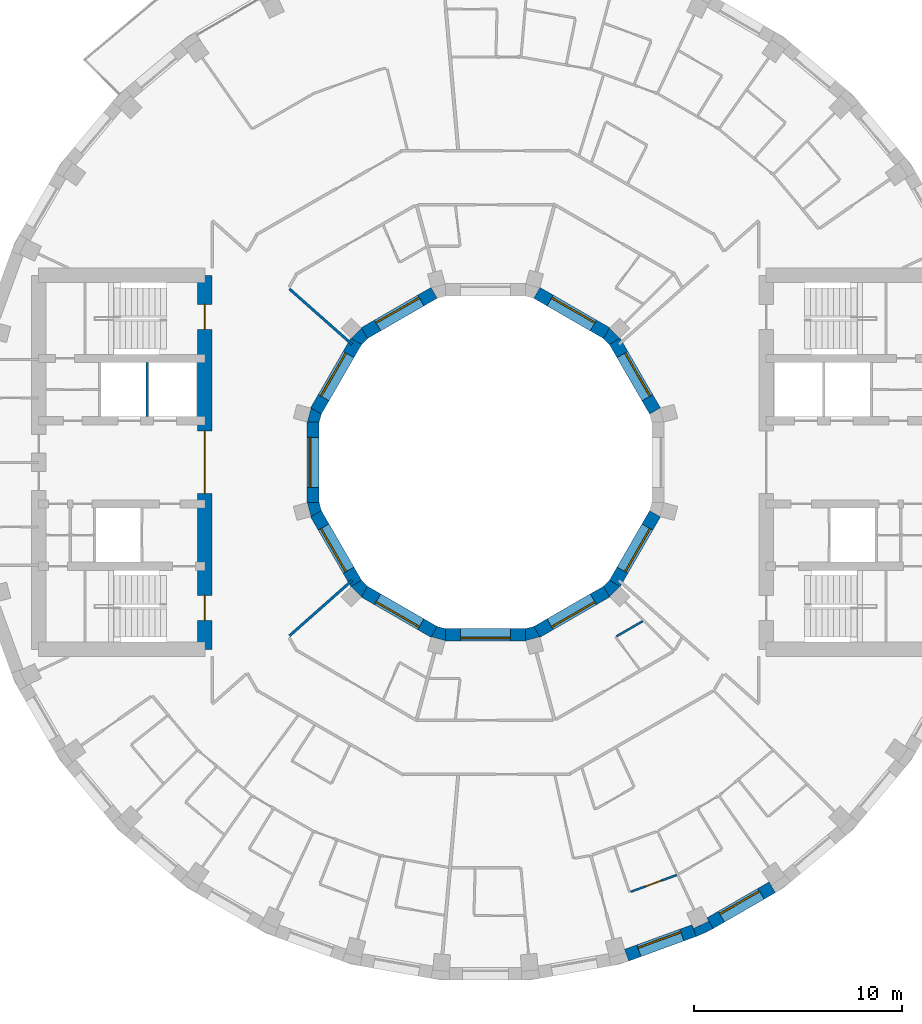
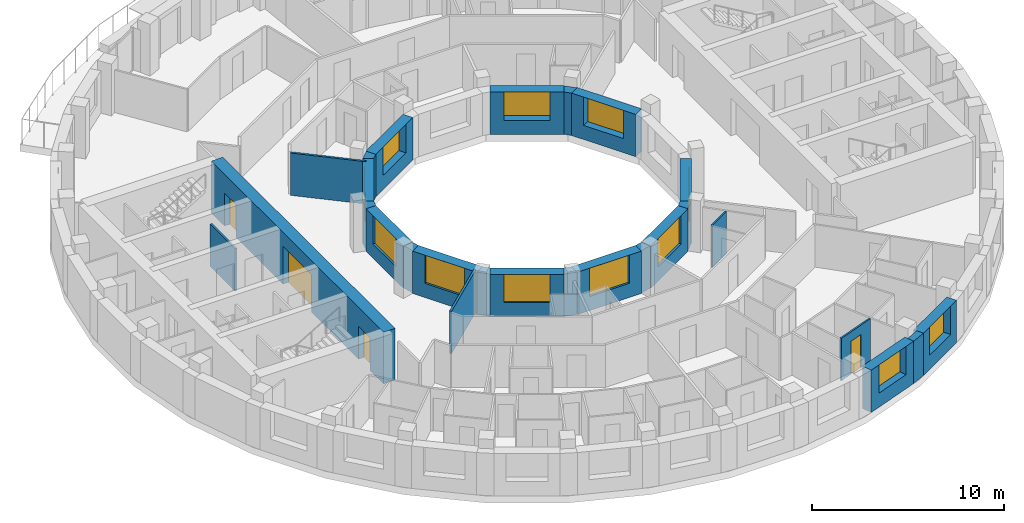
# One storey, part 7 of 14: 27 walls, 12 windows, 4 doors, 16 openings.
"""IFC4 building model written with IfcOpenShell, lengths in metres."""

from ifc_helpers import new_model, si_unit, direction, frame, frame_2d, origin, place, context, subcontext, project, spatial, polyline, rectangle, outline, extrude, material, layer, layer_set, type_object, element, fill, save


model = new_model("IFC4")

# Units and contexts
model_context = context("Model", 3, precision=1e-05, world=origin(), true_north=direction((0.0, 1.0)))
body_context = subcontext(model_context, "Body", "Model", "MODEL_VIEW")
ifc_project = project(units=[si_unit("LENGTHUNIT", "METRE"), si_unit("AREAUNIT", "SQUARE_METRE"), si_unit("VOLUMEUNIT", "CUBIC_METRE"), si_unit("PLANEANGLEUNIT", "RADIAN"), si_unit("MASSUNIT", "GRAM", prefix="KILO")], contexts=[model_context])

# Site, building, storey
site_placement = place(None, origin())
site = spatial("IfcSite", under=ifc_project, at=site_placement, CompositionType="ELEMENT")
building_placement = place(site_placement, origin())
building = spatial("IfcBuilding", under=site, at=building_placement, Name="Saqina Gate Tower", CompositionType="ELEMENT")
storey_placement = place(building_placement, frame((0.0, 0.0, 216.89990234375)))
storey = spatial("IfcBuildingStorey", under=building, at=storey_placement, Name="L62", CompositionType="ELEMENT", Elevation=216.89990234375)

# Wall
ifc_material_1 = material(Name="Brick masonry (buff)", Category="masonry")
wall_type_1 = type_object("IfcWallType", Name="BRICK PIER COPING BUFF", PredefinedType="SOLIDWALL", material=ifc_material_1)
wall_1_placement = place(storey_placement, origin())
element("IfcWall", 1, at=wall_1_placement, inside=storey, type_object=wall_type_1, Name="Pier cap L62 column 30", PredefinedType="SOLIDWALL", context=body_context, shape_type="SweptSolid", body=[
    extrude(outline(polyline([(10.958740234375, -22.4306640625), (10.65869140625, -21.9111328125), (10.73779296875, -22.080810546875), (10.0126953125, -22.4189453125), (9.93359375, -22.249267578125), (10.138916015625, -22.81298828125), (10.958740234375, -22.4306640625)])), origin(), (0.0, 0.0, 1.0), 2.7001953125),
])

# Wall, opening, window
ifc_material_2 = material(Name="Brick masonry (buff)", Category="masonry")
ifc_layer_1 = layer(ifc_material_2, 0.60009765625)
ifc_layer_set_1 = layer_set([ifc_layer_1], Name="FW-BRICK-BUFF")
wall_type_2 = type_object("IfcWallType", Name="FW-BRICK-BUFF", PredefinedType="SOLIDWALL", material=ifc_layer_set_1)
wall_2_placement = place(storey_placement, frame((6.79443359375, -23.7109375, 0.0), z_axis=(0.0, 0.0, 1.0), x_axis=(0.93968799822, 0.342032843455, 0.0)))
wall_2 = element("IfcWall", 2, at=wall_2_placement, inside=storey, type_object=wall_type_2, Name="Facade wall L62 facet 29", PredefinedType="SOLIDWALL", context=body_context, shape_type="SweptSolid", body=[
    extrude(rectangle(XDim=3.44970703125, YDim=0.60009765625, at=frame_2d((1.724853515625, 0.0))), origin(), (0.0, 0.0, 1.0), 2.7001953125),
])
opening_1_placement = place(wall_2_placement, frame((0.625, 0.0, 0.89990234375)))
opening_1 = element("IfcOpeningElement", 3, at=opening_1_placement, cuts=wall_2, Name="Opening G18-W18", PredefinedType="OPENING", context=body_context, shape_type="SweptSolid", body=[
    extrude(rectangle(XDim=2.199951171875, YDim=1.800048828125, at=frame_2d((1.10009765625, 0.89990234375))), frame((0.0, 0.31201171875, 0.0), z_axis=(0.0, -1.0, 0.0), x_axis=(1.0, 0.0, 0.0)), (0.0, 0.0, 1.0), 0.6240234375),
])
ifc_material_3 = material(Name="Aluminium glazing", Category="aluminium")
window_type_1 = type_object("IfcWindowType", Name="WN-C", PartitioningType="SINGLE_PANEL", PredefinedType="WINDOW", material=ifc_material_3)
window_1_placement = place(opening_1_placement, origin())
window_1 = element("IfcWindow", 4, at=window_1_placement, inside=storey, type_object=window_type_1, Name="Window L62 facet 29", OverallHeight=1.800048828125, OverallWidth=2.199951171875, PartitioningType="SINGLE_PANEL", PredefinedType="WINDOW", context=body_context, shape_type="SweptSolid", body=[
    extrude(rectangle(XDim=2.199951171875, YDim=1.800048828125, at=frame_2d((1.10009765625, 0.89990234375))), frame((0.0, 0.179931640625, 0.0), z_axis=(0.0, -1.0, 0.0), x_axis=(1.0, 0.0, 0.0)), (0.0, 0.0, 1.0), 0.06005859375),
])
fill(opening_1, window_1)

wall_3_placement = place(storey_placement, frame((10.80859375, -22.1708984375, 0.0), z_axis=(0.0, 0.0, 1.0), x_axis=(0.86602648383, 0.499998129301, 0.0)))
wall_3 = element("IfcWall", 5, at=wall_3_placement, inside=storey, type_object=wall_type_2, Name="Facade wall L62 facet 30", PredefinedType="SOLIDWALL", context=body_context, shape_type="SweptSolid", body=[
    extrude(rectangle(XDim=3.44970703125, YDim=0.60009765625, at=frame_2d((1.724853515625, 0.0))), origin(), (0.0, 0.0, 1.0), 2.7001953125),
])
opening_2_placement = place(wall_3_placement, frame((0.625, 0.0, 0.89990234375)))
opening_2 = element("IfcOpeningElement", 6, at=opening_2_placement, cuts=wall_3, Name="Opening G18-W19", PredefinedType="OPENING", context=body_context, shape_type="SweptSolid", body=[
    extrude(rectangle(XDim=2.199951171875, YDim=1.800048828125, at=frame_2d((1.10009765625, 0.89990234375))), frame((0.0, 0.31201171875, 0.0), z_axis=(0.0, -1.0, 0.0), x_axis=(1.0, 0.0, 0.0)), (0.0, 0.0, 1.0), 0.6240234375),
])
window_2_placement = place(opening_2_placement, origin())
window_2 = element("IfcWindow", 7, at=window_2_placement, inside=storey, type_object=window_type_1, Name="Window L62 facet 30", OverallHeight=1.800048828125, OverallWidth=2.199951171875, PartitioningType="SINGLE_PANEL", PredefinedType="WINDOW", context=body_context, shape_type="SweptSolid", body=[
    extrude(rectangle(XDim=2.199951171875, YDim=1.800048828125, at=frame_2d((1.10009765625, 0.89990234375))), frame((0.0, 0.179931640625, 0.0), z_axis=(0.0, -1.0, 0.0), x_axis=(1.0, 0.0, 0.0)), (0.0, 0.0, 1.0), 0.06005859375),
])
fill(opening_2, window_2)

ifc_material_4 = material(Name="Glazed ceramic tile", Category="ceramic")
ifc_layer_2 = layer(ifc_material_4, 0.60009765625)
ifc_layer_set_2 = layer_set([ifc_layer_2], Name="IW-TILE")
wall_type_3 = type_object("IfcWallType", Name="IW-TILE", PredefinedType="SOLIDWALL", material=ifc_layer_set_2)
wall_4_placement = place(storey_placement, frame((8.155517578125, 2.474365234375, 0.0), z_axis=(0.0, 0.0, 1.0), x_axis=(-0.500033728941, 0.866005929495, 0.0)))
wall_4 = element("IfcWall", 8, at=wall_4_placement, inside=storey, type_object=wall_type_3, Name="Well wall L62 facet 1", PredefinedType="SOLIDWALL", context=body_context, shape_type="SweptSolid", body=[
    extrude(rectangle(XDim=3.869873046875, YDim=0.60009765625, at=frame_2d((1.93505859375, 0.0))), origin(), (0.0, 0.0, 1.0), 2.7001953125),
])
opening_3_placement = place(wall_4_placement, frame((0.73486328125, 0.0, 0.89990234375)))
opening_3 = element("IfcOpeningElement", 9, at=opening_3_placement, cuts=wall_4, Name="Opening G18-W23", PredefinedType="OPENING", context=body_context, shape_type="SweptSolid", body=[
    extrude(rectangle(XDim=2.39990234375, YDim=1.800048828125, at=frame_2d((1.199951171875, 0.89990234375))), frame((0.0, 0.31201171875, 0.0), z_axis=(0.0, -1.0, 0.0), x_axis=(1.0, 0.0, 0.0)), (0.0, 0.0, 1.0), 0.6240234375),
])
ifc_material_5 = material(Name="Aluminium glazing", Category="aluminium")
window_type_2 = type_object("IfcWindowType", Name="WN-W", PartitioningType="SINGLE_PANEL", PredefinedType="WINDOW", material=ifc_material_5)
window_3_placement = place(opening_3_placement, origin())
window_3 = element("IfcWindow", 10, at=window_3_placement, inside=storey, type_object=window_type_2, Name="Well window L62 facet 1", OverallHeight=1.800048828125, OverallWidth=2.39990234375, PartitioningType="SINGLE_PANEL", PredefinedType="WINDOW", context=body_context, shape_type="SweptSolid", body=[
    extrude(rectangle(XDim=2.39990234375, YDim=1.800048828125, at=frame_2d((1.199951171875, 0.89990234375))), frame((0.0, -0.119873046875, 0.0), z_axis=(0.0, -1.0, 0.0), x_axis=(1.0, 0.0, 0.0)), (0.0, 0.0, 1.0), 0.06005859375),
])
fill(opening_3, window_3)

wall_5_placement = place(storey_placement, frame((5.82568359375, 6.220458984375, 0.0), z_axis=(0.0, 0.0, 1.0), x_axis=(-0.866005929495, 0.500033728941, 0.0)))
wall_5 = element("IfcWall", 11, at=wall_5_placement, inside=storey, type_object=wall_type_3, Name="Well wall L62 facet 2", PredefinedType="SOLIDWALL", context=body_context, shape_type="SweptSolid", body=[
    extrude(rectangle(XDim=3.869873046875, YDim=0.60009765625, at=frame_2d((1.93505859375, 0.0))), origin(), (0.0, 0.0, 1.0), 2.7001953125),
])
opening_4_placement = place(wall_5_placement, frame((0.73486328125, 0.0, 0.89990234375)))
opening_4 = element("IfcOpeningElement", 12, at=opening_4_placement, cuts=wall_5, Name="Opening G18-W24", PredefinedType="OPENING", context=body_context, shape_type="SweptSolid", body=[
    extrude(rectangle(XDim=2.39990234375, YDim=1.800048828125, at=frame_2d((1.199951171875, 0.89990234375))), frame((0.0, 0.31201171875, 0.0), z_axis=(0.0, -1.0, 0.0), x_axis=(1.0, 0.0, 0.0)), (0.0, 0.0, 1.0), 0.6240234375),
])
window_4_placement = place(opening_4_placement, origin())
window_4 = element("IfcWindow", 13, at=window_4_placement, inside=storey, type_object=window_type_2, Name="Well window L62 facet 2", OverallHeight=1.800048828125, OverallWidth=2.39990234375, PartitioningType="SINGLE_PANEL", PredefinedType="WINDOW", context=body_context, shape_type="SweptSolid", body=[
    extrude(rectangle(XDim=2.39990234375, YDim=1.800048828125, at=frame_2d((1.199951171875, 0.89990234375))), frame((0.0, -0.119873046875, 0.0), z_axis=(0.0, -1.0, 0.0), x_axis=(1.0, 0.0, 0.0)), (0.0, 0.0, 1.0), 0.06005859375),
])
fill(opening_4, window_4)

wall_6_placement = place(storey_placement, frame((-2.474365234375, 8.155517578125, 0.0), z_axis=(0.0, 0.0, 1.0), x_axis=(-0.866005929495, -0.500033728941, 0.0)))
wall_6 = element("IfcWall", 14, at=wall_6_placement, inside=storey, type_object=wall_type_3, Name="Well wall L62 facet 4", PredefinedType="SOLIDWALL", context=body_context, shape_type="SweptSolid", body=[
    extrude(rectangle(XDim=3.869873046875, YDim=0.60009765625, at=frame_2d((1.93505859375, 0.0))), origin(), (0.0, 0.0, 1.0), 2.7001953125),
])
opening_5_placement = place(wall_6_placement, frame((0.73486328125, 0.0, 0.89990234375)))
opening_5 = element("IfcOpeningElement", 15, at=opening_5_placement, cuts=wall_6, Name="Opening G18-W26", PredefinedType="OPENING", context=body_context, shape_type="SweptSolid", body=[
    extrude(rectangle(XDim=2.39990234375, YDim=1.800048828125, at=frame_2d((1.199951171875, 0.89990234375))), frame((0.0, 0.31201171875, 0.0), z_axis=(0.0, -1.0, 0.0), x_axis=(1.0, 0.0, 0.0)), (0.0, 0.0, 1.0), 0.6240234375),
])
window_5_placement = place(opening_5_placement, origin())
window_5 = element("IfcWindow", 16, at=window_5_placement, inside=storey, type_object=window_type_2, Name="Well window L62 facet 4", OverallHeight=1.800048828125, OverallWidth=2.39990234375, PartitioningType="SINGLE_PANEL", PredefinedType="WINDOW", context=body_context, shape_type="SweptSolid", body=[
    extrude(rectangle(XDim=2.39990234375, YDim=1.800048828125, at=frame_2d((1.199951171875, 0.89990234375))), frame((0.0, -0.119873046875, 0.0), z_axis=(0.0, -1.0, 0.0), x_axis=(1.0, 0.0, 0.0)), (0.0, 0.0, 1.0), 0.06005859375),
])
fill(opening_5, window_5)

wall_7_placement = place(storey_placement, frame((-6.220458984375, 5.82568359375, 0.0), z_axis=(0.0, 0.0, 1.0), x_axis=(-0.500033728941, -0.866005929495, 0.0)))
wall_7 = element("IfcWall", 17, at=wall_7_placement, inside=storey, type_object=wall_type_3, Name="Well wall L62 facet 5", PredefinedType="SOLIDWALL", context=body_context, shape_type="SweptSolid", body=[
    extrude(rectangle(XDim=3.869873046875, YDim=0.60009765625, at=frame_2d((1.93505859375, 0.0))), origin(), (0.0, 0.0, 1.0), 2.7001953125),
])
opening_6_placement = place(wall_7_placement, frame((0.73486328125, 0.0, 0.89990234375)))
opening_6 = element("IfcOpeningElement", 18, at=opening_6_placement, cuts=wall_7, Name="Opening G18-W27", PredefinedType="OPENING", context=body_context, shape_type="SweptSolid", body=[
    extrude(rectangle(XDim=2.39990234375, YDim=1.800048828125, at=frame_2d((1.199951171875, 0.89990234375))), frame((0.0, 0.31201171875, 0.0), z_axis=(0.0, -1.0, 0.0), x_axis=(1.0, 0.0, 0.0)), (0.0, 0.0, 1.0), 0.6240234375),
])
window_6_placement = place(opening_6_placement, origin())
window_6 = element("IfcWindow", 19, at=window_6_placement, inside=storey, type_object=window_type_2, Name="Well window L62 facet 5", OverallHeight=1.800048828125, OverallWidth=2.39990234375, PartitioningType="SINGLE_PANEL", PredefinedType="WINDOW", context=body_context, shape_type="SweptSolid", body=[
    extrude(rectangle(XDim=2.39990234375, YDim=1.800048828125, at=frame_2d((1.199951171875, 0.89990234375))), frame((0.0, -0.119873046875, 0.0), z_axis=(0.0, -1.0, 0.0), x_axis=(1.0, 0.0, 0.0)), (0.0, 0.0, 1.0), 0.06005859375),
])
fill(opening_6, window_6)

wall_8_placement = place(storey_placement, frame((-8.300048828125, 1.934814453125, 0.0), z_axis=(0.0, 0.0, 1.0), x_axis=(0.0, -1.0, 0.0)))
wall_8 = element("IfcWall", 20, at=wall_8_placement, inside=storey, type_object=wall_type_3, Name="Well wall L62 facet 6", PredefinedType="SOLIDWALL", context=body_context, shape_type="SweptSolid", body=[
    extrude(rectangle(XDim=3.86962890625, YDim=0.60009765625, at=frame_2d((1.934814453125, 0.0))), origin(), (0.0, 0.0, 1.0), 2.7001953125),
])
opening_7_placement = place(wall_8_placement, frame((0.73486328125, 0.0, 0.89990234375)))
opening_7 = element("IfcOpeningElement", 21, at=opening_7_placement, cuts=wall_8, Name="Opening G18-W28", PredefinedType="OPENING", context=body_context, shape_type="SweptSolid", body=[
    extrude(rectangle(XDim=2.39990234375, YDim=1.800048828125, at=frame_2d((1.199951171875, 0.89990234375))), frame((0.0, 0.31201171875, 0.0), z_axis=(0.0, -1.0, 0.0), x_axis=(1.0, 0.0, 0.0)), (0.0, 0.0, 1.0), 0.6240234375),
])
window_7_placement = place(opening_7_placement, origin())
window_7 = element("IfcWindow", 22, at=window_7_placement, inside=storey, type_object=window_type_2, Name="Well window L62 facet 6", OverallHeight=1.800048828125, OverallWidth=2.39990234375, PartitioningType="SINGLE_PANEL", PredefinedType="WINDOW", context=body_context, shape_type="SweptSolid", body=[
    extrude(rectangle(XDim=2.39990234375, YDim=1.800048828125, at=frame_2d((1.199951171875, 0.89990234375))), frame((0.0, -0.119873046875, 0.0), z_axis=(0.0, -1.0, 0.0), x_axis=(1.0, 0.0, 0.0)), (0.0, 0.0, 1.0), 0.06005859375),
])
fill(opening_7, window_7)

wall_9_placement = place(storey_placement, frame((-8.155517578125, -2.474365234375, 0.0), z_axis=(0.0, 0.0, 1.0), x_axis=(0.500033728941, -0.866005929495, 0.0)))
wall_9 = element("IfcWall", 23, at=wall_9_placement, inside=storey, type_object=wall_type_3, Name="Well wall L62 facet 7", PredefinedType="SOLIDWALL", context=body_context, shape_type="SweptSolid", body=[
    extrude(rectangle(XDim=3.869873046875, YDim=0.60009765625, at=frame_2d((1.93505859375, 0.0))), origin(), (0.0, 0.0, 1.0), 2.7001953125),
])
opening_8_placement = place(wall_9_placement, frame((0.73486328125, 0.0, 0.89990234375)))
opening_8 = element("IfcOpeningElement", 24, at=opening_8_placement, cuts=wall_9, Name="Opening G18-W29", PredefinedType="OPENING", context=body_context, shape_type="SweptSolid", body=[
    extrude(rectangle(XDim=2.39990234375, YDim=1.800048828125, at=frame_2d((1.199951171875, 0.89990234375))), frame((0.0, 0.31201171875, 0.0), z_axis=(0.0, -1.0, 0.0), x_axis=(1.0, 0.0, 0.0)), (0.0, 0.0, 1.0), 0.6240234375),
])
window_8_placement = place(opening_8_placement, origin())
window_8 = element("IfcWindow", 25, at=window_8_placement, inside=storey, type_object=window_type_2, Name="Well window L62 facet 7", OverallHeight=1.800048828125, OverallWidth=2.39990234375, PartitioningType="SINGLE_PANEL", PredefinedType="WINDOW", context=body_context, shape_type="SweptSolid", body=[
    extrude(rectangle(XDim=2.39990234375, YDim=1.800048828125, at=frame_2d((1.199951171875, 0.89990234375))), frame((0.0, -0.119873046875, 0.0), z_axis=(0.0, -1.0, 0.0), x_axis=(1.0, 0.0, 0.0)), (0.0, 0.0, 1.0), 0.06005859375),
])
fill(opening_8, window_8)

wall_10_placement = place(storey_placement, frame((-5.82568359375, -6.220458984375, 0.0), z_axis=(0.0, 0.0, 1.0), x_axis=(0.866005929495, -0.500033728941, 0.0)))
wall_10 = element("IfcWall", 26, at=wall_10_placement, inside=storey, type_object=wall_type_3, Name="Well wall L62 facet 8", PredefinedType="SOLIDWALL", context=body_context, shape_type="SweptSolid", body=[
    extrude(rectangle(XDim=3.869873046875, YDim=0.60009765625, at=frame_2d((1.93505859375, 0.0))), origin(), (0.0, 0.0, 1.0), 2.7001953125),
])
opening_9_placement = place(wall_10_placement, frame((0.73486328125, 0.0, 0.89990234375)))
opening_9 = element("IfcOpeningElement", 27, at=opening_9_placement, cuts=wall_10, Name="Opening G18-W30", PredefinedType="OPENING", context=body_context, shape_type="SweptSolid", body=[
    extrude(rectangle(XDim=2.39990234375, YDim=1.800048828125, at=frame_2d((1.199951171875, 0.89990234375))), frame((0.0, 0.31201171875, 0.0), z_axis=(0.0, -1.0, 0.0), x_axis=(1.0, 0.0, 0.0)), (0.0, 0.0, 1.0), 0.6240234375),
])
window_9_placement = place(opening_9_placement, origin())
window_9 = element("IfcWindow", 28, at=window_9_placement, inside=storey, type_object=window_type_2, Name="Well window L62 facet 8", OverallHeight=1.800048828125, OverallWidth=2.39990234375, PartitioningType="SINGLE_PANEL", PredefinedType="WINDOW", context=body_context, shape_type="SweptSolid", body=[
    extrude(rectangle(XDim=2.39990234375, YDim=1.800048828125, at=frame_2d((1.199951171875, 0.89990234375))), frame((0.0, -0.119873046875, 0.0), z_axis=(0.0, -1.0, 0.0), x_axis=(1.0, 0.0, 0.0)), (0.0, 0.0, 1.0), 0.06005859375),
])
fill(opening_9, window_9)

wall_11_placement = place(storey_placement, frame((-1.934814453125, -8.300048828125, 0.0), z_axis=(0.0, 0.0, 1.0), x_axis=(1.0, 0.0, 0.0)))
wall_11 = element("IfcWall", 29, at=wall_11_placement, inside=storey, type_object=wall_type_3, Name="Well wall L62 facet 9", PredefinedType="SOLIDWALL", context=body_context, shape_type="SweptSolid", body=[
    extrude(rectangle(XDim=3.86962890625, YDim=0.60009765625, at=frame_2d((1.934814453125, 0.0))), origin(), (0.0, 0.0, 1.0), 2.7001953125),
])
opening_10_placement = place(wall_11_placement, frame((0.73486328125, 0.0, 0.89990234375)))
opening_10 = element("IfcOpeningElement", 30, at=opening_10_placement, cuts=wall_11, Name="Opening G18-W31", PredefinedType="OPENING", context=body_context, shape_type="SweptSolid", body=[
    extrude(rectangle(XDim=2.39990234375, YDim=1.800048828125, at=frame_2d((1.199951171875, 0.89990234375))), frame((0.0, 0.31201171875, 0.0), z_axis=(0.0, -1.0, 0.0), x_axis=(1.0, 0.0, 0.0)), (0.0, 0.0, 1.0), 0.6240234375),
])
window_10_placement = place(opening_10_placement, origin())
window_10 = element("IfcWindow", 31, at=window_10_placement, inside=storey, type_object=window_type_2, Name="Well window L62 facet 9", OverallHeight=1.800048828125, OverallWidth=2.39990234375, PartitioningType="SINGLE_PANEL", PredefinedType="WINDOW", context=body_context, shape_type="SweptSolid", body=[
    extrude(rectangle(XDim=2.39990234375, YDim=1.800048828125, at=frame_2d((1.199951171875, 0.89990234375))), frame((0.0, -0.119873046875, 0.0), z_axis=(0.0, -1.0, 0.0), x_axis=(1.0, 0.0, 0.0)), (0.0, 0.0, 1.0), 0.06005859375),
])
fill(opening_10, window_10)

wall_12_placement = place(storey_placement, frame((2.474365234375, -8.155517578125, 0.0), z_axis=(0.0, 0.0, 1.0), x_axis=(0.866005929495, 0.500033728941, 0.0)))
wall_12 = element("IfcWall", 32, at=wall_12_placement, inside=storey, type_object=wall_type_3, Name="Well wall L62 facet 10", PredefinedType="SOLIDWALL", context=body_context, shape_type="SweptSolid", body=[
    extrude(rectangle(XDim=3.869873046875, YDim=0.60009765625, at=frame_2d((1.93505859375, 0.0))), origin(), (0.0, 0.0, 1.0), 2.7001953125),
])
opening_11_placement = place(wall_12_placement, frame((0.73486328125, 0.0, 0.89990234375)))
opening_11 = element("IfcOpeningElement", 33, at=opening_11_placement, cuts=wall_12, Name="Opening G18-W32", PredefinedType="OPENING", context=body_context, shape_type="SweptSolid", body=[
    extrude(rectangle(XDim=2.39990234375, YDim=1.800048828125, at=frame_2d((1.199951171875, 0.89990234375))), frame((0.0, 0.31201171875, 0.0), z_axis=(0.0, -1.0, 0.0), x_axis=(1.0, 0.0, 0.0)), (0.0, 0.0, 1.0), 0.6240234375),
])
window_11_placement = place(opening_11_placement, origin())
window_11 = element("IfcWindow", 34, at=window_11_placement, inside=storey, type_object=window_type_2, Name="Well window L62 facet 10", OverallHeight=1.800048828125, OverallWidth=2.39990234375, PartitioningType="SINGLE_PANEL", PredefinedType="WINDOW", context=body_context, shape_type="SweptSolid", body=[
    extrude(rectangle(XDim=2.39990234375, YDim=1.800048828125, at=frame_2d((1.199951171875, 0.89990234375))), frame((0.0, -0.119873046875, 0.0), z_axis=(0.0, -1.0, 0.0), x_axis=(1.0, 0.0, 0.0)), (0.0, 0.0, 1.0), 0.06005859375),
])
fill(opening_11, window_11)

wall_13_placement = place(storey_placement, frame((6.220458984375, -5.82568359375, 0.0), z_axis=(0.0, 0.0, 1.0), x_axis=(0.500033728941, 0.866005929495, 0.0)))
wall_13 = element("IfcWall", 35, at=wall_13_placement, inside=storey, type_object=wall_type_3, Name="Well wall L62 facet 11", PredefinedType="SOLIDWALL", context=body_context, shape_type="SweptSolid", body=[
    extrude(rectangle(XDim=3.869873046875, YDim=0.60009765625, at=frame_2d((1.93505859375, 0.0))), origin(), (0.0, 0.0, 1.0), 2.7001953125),
])
opening_12_placement = place(wall_13_placement, frame((0.73486328125, 0.0, 0.89990234375)))
opening_12 = element("IfcOpeningElement", 36, at=opening_12_placement, cuts=wall_13, Name="Opening G18-W33", PredefinedType="OPENING", context=body_context, shape_type="SweptSolid", body=[
    extrude(rectangle(XDim=2.39990234375, YDim=1.800048828125, at=frame_2d((1.199951171875, 0.89990234375))), frame((0.0, 0.31201171875, 0.0), z_axis=(0.0, -1.0, 0.0), x_axis=(1.0, 0.0, 0.0)), (0.0, 0.0, 1.0), 0.6240234375),
])
window_12_placement = place(opening_12_placement, origin())
window_12 = element("IfcWindow", 37, at=window_12_placement, inside=storey, type_object=window_type_2, Name="Well window L62 facet 11", OverallHeight=1.800048828125, OverallWidth=2.39990234375, PartitioningType="SINGLE_PANEL", PredefinedType="WINDOW", context=body_context, shape_type="SweptSolid", body=[
    extrude(rectangle(XDim=2.39990234375, YDim=1.800048828125, at=frame_2d((1.199951171875, 0.89990234375))), frame((0.0, -0.119873046875, 0.0), z_axis=(0.0, -1.0, 0.0), x_axis=(1.0, 0.0, 0.0)), (0.0, 0.0, 1.0), 0.06005859375),
])
fill(opening_12, window_12)

# Wall, opening, door
ifc_material_6 = material(Name="Gypsum board on steel studs, 100 mm", Category="steel")
ifc_layer_3 = layer(ifc_material_6, 0.10009765625)
ifc_layer_set_3 = layer_set([ifc_layer_3], Name="PARTITION 100")
wall_type_4 = type_object("IfcWallType", Name="PARTITION 100", PredefinedType="PARTITIONING", material=ifc_layer_set_3)
wall_14_placement = place(storey_placement, frame((6.98193359375, -20.662841796875, 0.0), z_axis=(0.0, 0.0, 1.0), x_axis=(0.939639539443, 0.34216594792, 0.0)))
wall_14 = element("IfcWall", 38, at=wall_14_placement, inside=storey, type_object=wall_type_4, Name="PARTITION PW3-50", PredefinedType="PARTITIONING", context=body_context, shape_type="SweptSolid", body=[
    extrude(rectangle(XDim=2.36376953125, YDim=0.10009765625, at=frame_2d((1.181884765625, 0.0))), origin(), (0.0, 0.0, 1.0), 2.7001953125),
])
opening_13_placement = place(wall_14_placement, frame((0.781982421875, 0.0, 0.0)))
opening_13 = element("IfcOpeningElement", 39, at=opening_13_placement, cuts=wall_14, Name="Opening G18-D49", PredefinedType="OPENING", context=body_context, shape_type="SweptSolid", body=[
    extrude(rectangle(XDim=0.800048828125, YDim=2.10009765625, at=frame_2d((0.39990234375, 1.050048828125))), frame((0.0, 0.06201171875, 0.0), z_axis=(0.0, -1.0, 0.0), x_axis=(1.0, 0.0, 0.0)), (0.0, 0.0, 1.0), 0.1240234375),
])
ifc_material_7 = material(Name="Timber door leaf, 800 mm", Category="wood")
door_type_1 = type_object("IfcDoorType", Name="DOOR 800 TIMBER", OperationType="SINGLE_SWING_LEFT", PredefinedType="DOOR", material=ifc_material_7)
door_1_placement = place(opening_13_placement, frame((0.800048828125, 0.0, 0.0), z_axis=(0.0, 0.0, 1.0), x_axis=(-1.0, 0.0, 0.0)))
door_1 = element("IfcDoor", 40, at=door_1_placement, inside=storey, type_object=door_type_1, Name="DOOR G18-D49", OperationType="SINGLE_SWING_LEFT", OverallHeight=2.10009765625, OverallWidth=0.800048828125, PredefinedType="DOOR", context=body_context, shape_type="SweptSolid", body=[
    extrude(rectangle(XDim=0.800048828125, YDim=2.10009765625, at=frame_2d((0.39990234375, 1.050048828125))), frame((0.0, 0.02490234375, 0.0), z_axis=(0.0, -1.0, 0.0), x_axis=(1.0, 0.0, 0.0)), (0.0, 0.0, 1.0), 0.050048828125),
])
fill(opening_13, door_1)

# Walls
wall_15_placement = place(storey_placement, frame((6.29833984375, -8.3720703125, 0.0), z_axis=(0.0, 0.0, 1.0), x_axis=(0.865972313888, 0.500091943127, 0.0)))
element("IfcWall", 41, at=wall_15_placement, inside=storey, type_object=wall_type_4, Name="PARTITION PW3-58", PredefinedType="PARTITIONING", context=body_context, shape_type="SweptSolid", body=[
    extrude(rectangle(XDim=1.468017578125, YDim=0.10009765625, at=frame_2d((0.73388671875, 0.0))), origin(), (0.0, 0.0, 1.0), 2.7001953125),
])
ifc_material_8 = material(Name="Gypsum board on steel studs, 125 mm, fire rated", Category="steel")
ifc_layer_4 = layer(ifc_material_8, 0.125)
ifc_layer_set_4 = layer_set([ifc_layer_4], Name="PARTITION EI 30 125")
wall_type_5 = type_object("IfcWallType", Name="PARTITION EI 30 125", PredefinedType="PARTITIONING", material=ifc_layer_set_4)
for number, where, z_axis, x_axis, name in (
    (42, (-9.43212890625, 8.3447265625, 0.0), (0.0, 0.0, 1.0), (0.748978023249, -0.662594839015, 0.0), "PARTITION PW1-12"),
    (43, (-9.43212890625, -8.3447265625, 0.0), (0.0, 0.0, 1.0), (0.748978023249, 0.662594839015, 0.0), "PARTITION PW1-43"),
):
    element("IfcWall", number, at=place(storey_placement, frame(where, z_axis=z_axis, x_axis=x_axis)), inside=storey, type_object=wall_type_5, Name=name, PredefinedType="PARTITIONING", context=body_context, shape_type="SweptSolid", body=[
        extrude(rectangle(XDim=4.021728515625, YDim=0.125, at=frame_2d((2.0107421875, 0.0))), origin(), (0.0, 0.0, 1.0), 2.7001953125),
    ])
ifc_material_9 = material(Name="Autoclaved aerated concrete block", Category="concrete")
ifc_layer_5 = layer(ifc_material_9, 0.1201171875)
ifc_layer_set_5 = layer_set([ifc_layer_5], Name="SHAFT PARTITION")
wall_type_6 = type_object("IfcWallType", Name="SHAFT PARTITION", PredefinedType="PARTITIONING", material=ifc_layer_set_5)
wall_16_placement = place(storey_placement, frame((-16.280029296875, 2.199951171875, 0.0), z_axis=(0.0, 0.0, 1.0), x_axis=(0.0, 1.0, 0.0)))
element("IfcWall", 44, at=wall_16_placement, inside=storey, type_object=wall_type_6, Name="L62-CP-W06", PredefinedType="PARTITIONING", context=body_context, shape_type="SweptSolid", body=[
    extrude(rectangle(XDim=2.60009765625, YDim=0.1201171875, at=frame_2d((1.300048828125, 0.0))), origin(), (0.0, 0.0, 1.0), 2.7001953125),
])

# Wall, openings, doors
ifc_material_10 = material(Name="Concrete C60/75", Category="concrete")
ifc_layer_6 = layer(ifc_material_10, 0.699951171875)
ifc_layer_set_6 = layer_set([ifc_layer_6], Name="Concrete C60/75")
wall_type_7 = type_object("IfcWallType", Name="STR-CORE WALL-C-O", PredefinedType="SHEAR", material=ifc_layer_set_6)
wall_17_placement = place(storey_placement, frame((-13.5, -9.0, 0.0), z_axis=(0.0, 0.0, 1.0), x_axis=(0.0, 1.0, 0.0)))
wall_17 = element("IfcWall", 45, at=wall_17_placement, inside=storey, type_object=wall_type_7, Name="CORE WALL L62 W-W1", PredefinedType="SHEAR", context=body_context, shape_type="SweptSolid", body=[
    extrude(rectangle(XDim=18.0, YDim=0.699951171875, at=frame_2d((9.0, 0.0))), origin(), (0.0, 0.0, 1.0), 3.300048828125),
])
opening_14_placement = place(wall_17_placement, frame((15.39990234375, 0.0, 0.0)))
opening_14 = element("IfcOpeningElement", 46, at=opening_14_placement, cuts=wall_17, Name="Opening G18-D121", PredefinedType="OPENING", context=body_context, shape_type="SweptSolid", body=[
    extrude(rectangle(XDim=1.199951171875, YDim=2.10009765625, at=frame_2d((0.60009765625, 1.050048828125))), frame((0.0, 0.362060546875, 0.0), z_axis=(0.0, -1.0, 0.0), x_axis=(1.0, 0.0, 0.0)), (0.0, 0.0, 1.0), 0.723876953125),
])
opening_15_placement = place(wall_17_placement, frame((1.39990234375, 0.0, 0.0)))
opening_15 = element("IfcOpeningElement", 47, at=opening_15_placement, cuts=wall_17, Name="Opening G18-D122", PredefinedType="OPENING", context=body_context, shape_type="SweptSolid", body=[
    extrude(rectangle(XDim=1.199951171875, YDim=2.10009765625, at=frame_2d((0.60009765625, 1.050048828125))), frame((0.0, 0.362060546875, 0.0), z_axis=(0.0, -1.0, 0.0), x_axis=(1.0, 0.0, 0.0)), (0.0, 0.0, 1.0), 0.723876953125),
])
opening_16_placement = place(wall_17_placement, frame((7.5, 0.0, 0.0)))
opening_16 = element("IfcOpeningElement", 48, at=opening_16_placement, cuts=wall_17, Name="Opening G18-D123", PredefinedType="OPENING", context=body_context, shape_type="SweptSolid", body=[
    extrude(rectangle(XDim=3.0, YDim=2.39990234375, at=frame_2d((1.5, 1.199951171875))), frame((0.0, 0.362060546875, 0.0), z_axis=(0.0, -1.0, 0.0), x_axis=(1.0, 0.0, 0.0)), (0.0, 0.0, 1.0), 0.723876953125),
])
ifc_material_11 = material(Name="Steel", Category="steel")
door_type_2 = type_object("IfcDoorType", Name="FIRE DOOR EI 60", OperationType="SINGLE_SWING_LEFT", PredefinedType="DOOR", material=ifc_material_11)
door_2_placement = place(opening_14_placement, origin())
door_2 = element("IfcDoor", 49, at=door_2_placement, inside=storey, type_object=door_type_2, Name="L62-CD-W32", OperationType="SINGLE_SWING_RIGHT", OverallHeight=2.10009765625, OverallWidth=1.199951171875, PredefinedType="DOOR", context=body_context, shape_type="SweptSolid", body=[
    extrude(rectangle(XDim=1.199951171875, YDim=2.10009765625, at=frame_2d((0.60009765625, 1.050048828125))), frame((0.0, 0.02490234375, 0.0), z_axis=(0.0, -1.0, 0.0), x_axis=(1.0, 0.0, 0.0)), (0.0, 0.0, 1.0), 0.050048828125),
])
fill(opening_14, door_2)
door_3_placement = place(opening_15_placement, origin())
door_3 = element("IfcDoor", 50, at=door_3_placement, inside=storey, type_object=door_type_2, Name="L62-CD-W33", OperationType="SINGLE_SWING_LEFT", OverallHeight=2.10009765625, OverallWidth=1.199951171875, PredefinedType="DOOR", context=body_context, shape_type="SweptSolid", body=[
    extrude(rectangle(XDim=1.199951171875, YDim=2.10009765625, at=frame_2d((0.60009765625, 1.050048828125))), frame((0.0, 0.02490234375, 0.0), z_axis=(0.0, -1.0, 0.0), x_axis=(1.0, 0.0, 0.0)), (0.0, 0.0, 1.0), 0.050048828125),
])
fill(opening_15, door_3)
ifc_material_12 = material(Name="Steel and fire-resisting glass", Category="steel")
door_type_3 = type_object("IfcDoorType", Name="LOBBY SCREEN DOOR", OperationType="DOUBLE_DOOR_SLIDING", PredefinedType="DOOR", material=ifc_material_12)
door_4_placement = place(opening_16_placement, origin())
door_4 = element("IfcDoor", 51, at=door_4_placement, inside=storey, type_object=door_type_3, Name="L62-CD-W34", OperationType="DOUBLE_DOOR_SLIDING", OverallHeight=2.39990234375, OverallWidth=3.0, PredefinedType="DOOR", context=body_context, shape_type="SweptSolid", body=[
    extrude(rectangle(XDim=3.0, YDim=2.39990234375, at=frame_2d((1.5, 1.199951171875))), frame((0.0, 0.02490234375, 0.0), z_axis=(0.0, -1.0, 0.0), x_axis=(1.0, 0.0, 0.0)), (0.0, 0.0, 1.0), 0.050048828125),
])
fill(opening_16, door_4)

# Walls
ifc_material_13 = material(Name="Glazed ceramic tile", Category="ceramic")
wall_type_8 = type_object("IfcWallType", Name="TILE PIER COPING", PredefinedType="SOLIDWALL", material=ifc_material_13)
wall_18_placement = place(storey_placement, origin())
element("IfcWall", 52, at=wall_18_placement, inside=storey, type_object=wall_type_8, Name="Well pier cap L62 column 2", PredefinedType="SOLIDWALL", context=body_context, shape_type="SweptSolid", body=[
    extrude(outline(polyline([(5.96240234375, 6.45751953125), (5.67578125, 5.960693359375), (5.960693359375, 5.67578125), (6.45751953125, 5.96240234375), (5.96240234375, 6.45751953125)])), origin(), (0.0, 0.0, 1.0), 2.7001953125),
])
wall_19_placement = place(storey_placement, origin())
element("IfcWall", 53, at=wall_19_placement, inside=storey, type_object=wall_type_8, Name="Well pier cap L62 column 5", PredefinedType="SOLIDWALL", context=body_context, shape_type="SweptSolid", body=[
    extrude(outline(polyline([(-6.45751953125, 5.96240234375), (-5.960693359375, 5.67578125), (-5.67578125, 5.960693359375), (-5.96240234375, 6.45751953125), (-6.45751953125, 5.96240234375)])), origin(), (0.0, 0.0, 1.0), 2.7001953125),
])
wall_20_placement = place(storey_placement, origin())
element("IfcWall", 54, at=wall_20_placement, inside=storey, type_object=wall_type_8, Name="Well pier cap L62 column 6", PredefinedType="SOLIDWALL", context=body_context, shape_type="SweptSolid", body=[
    extrude(outline(polyline([(-8.573486328125, 1.934814453125), (-8.0, 1.934814453125), (-7.895751953125, 2.32421875), (-8.392333984375, 2.611083984375), (-8.573486328125, 1.934814453125)])), origin(), (0.0, 0.0, 1.0), 2.7001953125),
])
wall_21_placement = place(storey_placement, origin())
element("IfcWall", 55, at=wall_21_placement, inside=storey, type_object=wall_type_8, Name="Well pier cap L62 column 7", PredefinedType="SOLIDWALL", context=body_context, shape_type="SweptSolid", body=[
    extrude(outline(polyline([(-8.0, -1.934814453125), (-8.573486328125, -1.934814453125), (-8.392333984375, -2.611083984375), (-7.895751953125, -2.32421875), (-8.0, -1.934814453125)])), origin(), (0.0, 0.0, 1.0), 2.7001953125),
])
wall_22_placement = place(storey_placement, origin())
element("IfcWall", 56, at=wall_22_placement, inside=storey, type_object=wall_type_8, Name="Well pier cap L62 column 8", PredefinedType="SOLIDWALL", context=body_context, shape_type="SweptSolid", body=[
    extrude(outline(polyline([(-6.45751953125, -5.96240234375), (-5.96240234375, -6.45751953125), (-5.67578125, -5.960693359375), (-5.960693359375, -5.67578125), (-6.45751953125, -5.96240234375)])), origin(), (0.0, 0.0, 1.0), 2.7001953125),
])
wall_23_placement = place(storey_placement, origin())
element("IfcWall", 57, at=wall_23_placement, inside=storey, type_object=wall_type_8, Name="Well pier cap L62 column 9", PredefinedType="SOLIDWALL", context=body_context, shape_type="SweptSolid", body=[
    extrude(outline(polyline([(-1.934814453125, -8.573486328125), (-1.934814453125, -8.0), (-2.32421875, -7.895751953125), (-2.611083984375, -8.392333984375), (-1.934814453125, -8.573486328125)])), origin(), (0.0, 0.0, 1.0), 2.7001953125),
])
wall_24_placement = place(storey_placement, origin())
element("IfcWall", 58, at=wall_24_placement, inside=storey, type_object=wall_type_8, Name="Well pier cap L62 column 10", PredefinedType="SOLIDWALL", context=body_context, shape_type="SweptSolid", body=[
    extrude(outline(polyline([(2.611083984375, -8.392333984375), (2.32421875, -7.895751953125), (1.934814453125, -8.0), (1.934814453125, -8.573486328125), (2.611083984375, -8.392333984375)])), origin(), (0.0, 0.0, 1.0), 2.7001953125),
])
wall_25_placement = place(storey_placement, origin())
element("IfcWall", 59, at=wall_25_placement, inside=storey, type_object=wall_type_8, Name="Well pier cap L62 column 11", PredefinedType="SOLIDWALL", context=body_context, shape_type="SweptSolid", body=[
    extrude(outline(polyline([(5.96240234375, -6.45751953125), (6.45751953125, -5.96240234375), (5.960693359375, -5.67578125), (5.67578125, -5.960693359375), (5.96240234375, -6.45751953125)])), origin(), (0.0, 0.0, 1.0), 2.7001953125),
])

save(model, "model.ifc")
